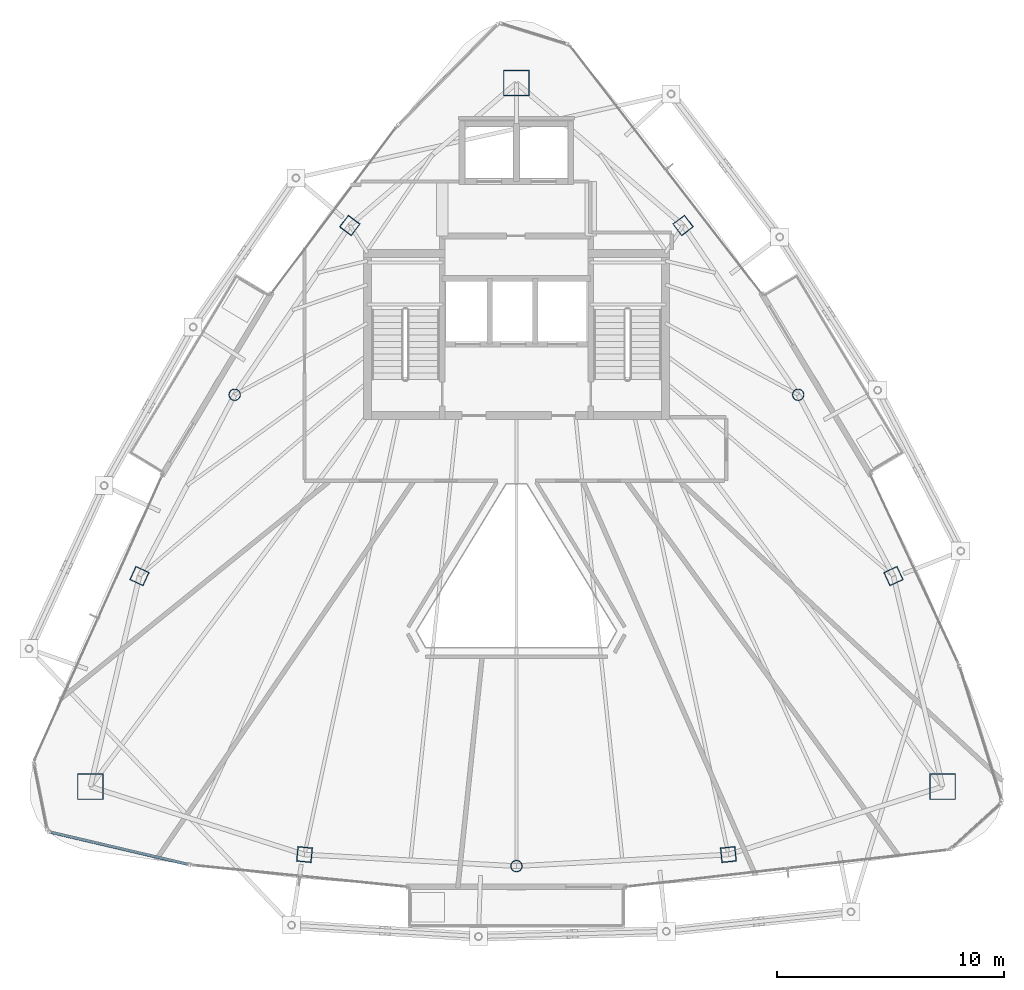
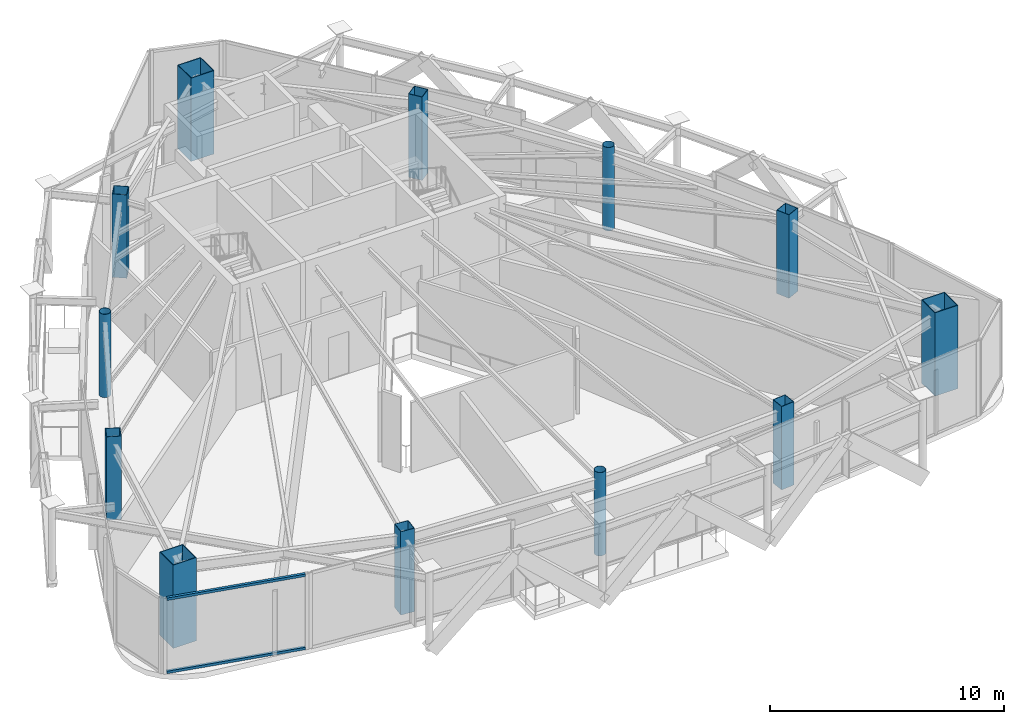
# One storey, part 1 of 22: 12 columns, 2 members, 1 element without a shape of its own.
"""IFC4 building model written with IfcOpenShell, lengths in metres."""

import ifcopenshell
import ifcopenshell.guid

model = None  # the IFC model being written
_history = None  # IfcOwnerHistory: only IFC2X3 demands one
_inside = {}  # id of a spatial element -> (the spatial element, [elements in it])
_under = {}  # id of a project, library or spatial element -> (it, [spatial elements below it])
_declared = {}  # id of a project -> (the project, [libraries it declares])
_typed = {}  # id of a type object -> (the type object, [elements of that type])
_made_of = {}  # id of a material, layer set ... -> (it, [elements and type objects made of it])


def new_model(schema):
    """Start an empty IFC model of exactly this schema.

    Asked for "IFC4X3", IfcOpenShell would pick the latest addendum, in which some entities
    have other attributes; the version numbers below select the first issue.
    IFC2X3 requires an IfcOwnerHistory on every rooted entity: one is made here for all.
    """
    global model, _history
    if schema == "IFC4X3":
        model = ifcopenshell.file(schema_version=(4, 3, 0, 0))
    else:
        model = ifcopenshell.file(schema=schema)
    _inside.clear()
    _under.clear()
    _declared.clear()
    _typed.clear()
    _made_of.clear()
    _history = None
    if model.schema == "IFC2X3":
        org = make("IfcOrganization", Name="unknown")
        user = make(
            "IfcPersonAndOrganization",
            ThePerson=make("IfcPerson", FamilyName="unknown"),
            TheOrganization=org,
        )
        app = make(
            "IfcApplication",
            ApplicationDeveloper=org,
            Version="unknown",
            ApplicationFullName="unknown",
            ApplicationIdentifier="unknown",
        )
        _history = make(
            "IfcOwnerHistory",
            OwningUser=user,
            OwningApplication=app,
            ChangeAction="ADDED",
            CreationDate=0,
        )
    return model


def make(cls, **values):
    """One entity of the class cls with the attributes given. An attribute that is None is left unset."""
    return model.create_entity(
        cls, **{name: value for name, value in values.items() if value is not None}
    )


def rooted(cls, **values):
    """An entity with a GlobalId (a new one), such as an element, a storey or a relation."""
    return make(cls, GlobalId=ifcopenshell.guid.new(), OwnerHistory=_history, **values)


def si_unit(unit_type, name, prefix=None):
    """IfcSIUnit, for example si_unit("LENGTHUNIT", "METRE", prefix="MILLI")."""
    return make("IfcSIUnit", UnitType=unit_type, Prefix=prefix, Name=name)


def assignment(units):
    """IfcUnitAssignment: the units of a project."""
    return None if units is None else make("IfcUnitAssignment", Units=units)


def point(xyz):
    """IfcCartesianPoint."""
    return None if xyz is None else make("IfcCartesianPoint", Coordinates=xyz)


def direction(xyz):
    """IfcDirection."""
    return None if xyz is None else make("IfcDirection", DirectionRatios=xyz)


def frame(location, z_axis=None, x_axis=None):
    """IfcAxis2Placement3D, a coordinate frame: its origin and axes. An axis left out is left unset."""
    return make(
        "IfcAxis2Placement3D",
        Location=point(location),
        Axis=direction(z_axis),
        RefDirection=direction(x_axis),
    )


def frame_2d(location, x_axis=None):
    """IfcAxis2Placement2D, a coordinate frame in the plane: its origin and x axis."""
    return make(
        "IfcAxis2Placement2D", Location=point(location), RefDirection=direction(x_axis)
    )


def origin():
    """The frame at (0, 0, 0) with its axes left unset."""
    return frame((0.0, 0.0, 0.0))


def origin_2d():
    """The frame at (0, 0) in the plane with its x axis left unset."""
    return frame_2d((0.0, 0.0))


def place(relative_to, where):
    """IfcLocalPlacement: puts the frame where relative to a parent placement (None: the world)."""
    return make(
        "IfcLocalPlacement", PlacementRelTo=relative_to, RelativePlacement=where
    )


def context(
    kind, dimensions, precision=None, world=None, true_north=None, identifier=None
):
    """IfcGeometricRepresentationContext, for example the 3D "Model" context."""
    return make(
        "IfcGeometricRepresentationContext",
        ContextIdentifier=identifier,
        ContextType=kind,
        CoordinateSpaceDimension=dimensions,
        Precision=precision,
        WorldCoordinateSystem=world,
        TrueNorth=true_north,
    )


def subcontext(parent, identifier, kind, view, scale=None):
    """IfcGeometricRepresentationSubContext, for example "Body" below "Model"."""
    return make(
        "IfcGeometricRepresentationSubContext",
        ContextIdentifier=identifier,
        ContextType=kind,
        ParentContext=parent,
        TargetScale=scale,
        TargetView=view,
    )


def project(units=None, contexts=None):
    """IfcProject with its units and contexts."""
    return rooted(
        "IfcProject",
        Name="project",
        RepresentationContexts=contexts,
        UnitsInContext=assignment(units),
    )


def spatial(cls, under=None, at=None, **own):
    """A site, building, storey or space (cls), placed at a placement, below another one or the project."""
    s = rooted(cls, ObjectPlacement=at, **own)
    if under is not None:
        _under.setdefault(under.id(), (under, []))[1].append(s)
    return s


def profile(cls, at=None, kind="AREA", **sizes):
    """A parametric profile (cls). Its sizes go by their IFC names, for example OverallWidth=200.0."""
    return make(cls, ProfileType=kind, Position=at, **sizes)


def hollow_rectangle(**sizes):
    """IfcRectangleHollowProfileDef."""
    return profile("IfcRectangleHollowProfileDef", **sizes)


def hollow_circle(**sizes):
    """IfcCircleHollowProfileDef."""
    return profile("IfcCircleHollowProfileDef", **sizes)


def extrude(swept, where, along, depth):
    """IfcExtrudedAreaSolid: the profile swept, set in the frame where, extruded along a direction by depth."""
    return make(
        "IfcExtrudedAreaSolid",
        SweptArea=swept,
        Position=where,
        ExtrudedDirection=direction(along),
        Depth=depth,
    )


def shape(context_of_items, identifier, shape_type, items):
    """IfcShapeRepresentation: the items that make up one representation, for example the "Body"."""
    return make(
        "IfcShapeRepresentation",
        ContextOfItems=context_of_items,
        RepresentationIdentifier=identifier,
        RepresentationType=shape_type,
        Items=items,
    )


def material(Name=None, Category=None):
    """IfcMaterial."""
    return make("IfcMaterial", Name=Name, Category=Category)


def layer(
    of_material, thickness, ventilated=None, Name=None, Category=None, Priority=None
):
    """IfcMaterialLayer: one layer of a wall or slab, of a material (None: an air gap)."""
    return make(
        "IfcMaterialLayer",
        Material=of_material,
        LayerThickness=thickness,
        IsVentilated=ventilated,
        Name=Name,
        Category=Category,
        Priority=Priority,
    )


def layer_set(layers, Name=None):
    """IfcMaterialLayerSet."""
    return make("IfcMaterialLayerSet", MaterialLayers=layers, LayerSetName=Name)


def material_profile(
    of_material, cross_section, Name=None, Category=None, Priority=None
):
    """IfcMaterialProfile: a cross section and its material."""
    return make(
        "IfcMaterialProfile",
        Name=Name,
        Material=of_material,
        Profile=cross_section,
        Priority=Priority,
        Category=Category,
    )


def profile_set(profiles, Name=None, composite=None):
    """IfcMaterialProfileSet."""
    return make(
        "IfcMaterialProfileSet",
        Name=Name,
        MaterialProfiles=profiles,
        CompositeProfile=composite,
    )


def made_of(thing, what):
    """Note that an element or type object is made of a material, layer set ...; save() writes the relation."""
    if what is not None:
        _made_of.setdefault(what.id(), (what, []))[1].append(thing)
    return thing


def type_object(cls, material=None, **own):
    """A type object (cls), such as IfcWallType, which elements share."""
    return made_of(rooted(cls, **own), material)


def element(
    cls,
    number,
    at=None,
    inside=None,
    cuts=None,
    type_object=None,
    material=None,
    context=None,
    identifier="Body",
    shape_type=None,
    held_by="IfcProductDefinitionShape",
    body=None,
    shapes=None,
    **own,
):
    """One element of the class cls, such as IfcWall. Its Tag is "e" and its number.

    at: its placement. inside: the storey or other place that contains it. cuts: it is an
    opening in that element (IfcRelVoidsElement). A single representation is given by context,
    identifier, shape_type and body (its items); several are given by shapes. held_by: the class
    of the entity that holds the representations. save() writes the other relations.
    """
    e = rooted(cls, Tag="e%d" % number, ObjectPlacement=at, **own)
    if body is not None:
        shapes = [shape(context, identifier, shape_type, body)]
    if shapes is not None:
        e.Representation = make(held_by, Representations=shapes)
    if inside is not None:
        _inside.setdefault(inside.id(), (inside, []))[1].append(e)
    if cuts is not None:
        rooted(
            "IfcRelVoidsElement", RelatingBuildingElement=cuts, RelatedOpeningElement=e
        )
    if type_object is not None:
        _typed.setdefault(type_object.id(), (type_object, []))[1].append(e)
    return made_of(e, material)


def aggregate(whole, parts):
    """IfcRelAggregates: a whole, such as a stair, and the parts it consists of."""
    return rooted("IfcRelAggregates", RelatingObject=whole, RelatedObjects=parts)


def save(model, path):
    """Write the relations noted so far, then the file.

    IfcRelAggregates (storeys below a building ...), IfcRelContainedInSpatialStructure (elements
    in a storey), IfcRelDefinesByType, IfcRelAssociatesMaterial and IfcRelDeclares: one each for
    every whole, place, type object, material and project.
    """
    for whole, parts in _under.values():
        aggregate(whole, parts)
    for where, things in _inside.values():
        rooted(
            "IfcRelContainedInSpatialStructure",
            RelatedElements=things,
            RelatingStructure=where,
        )
    for kind, things in _typed.values():
        rooted("IfcRelDefinesByType", RelatedObjects=things, RelatingType=kind)
    for what, things in _made_of.values():
        rooted("IfcRelAssociatesMaterial", RelatedObjects=things, RelatingMaterial=what)
    for by, libraries in _declared.values():
        rooted("IfcRelDeclares", RelatingContext=by, RelatedDefinitions=libraries)
    model.write(path)


model = new_model("IFC4")

# Units and contexts
model_context = context("Model", 3, precision=1e-05, world=origin(), true_north=direction((0.0, 1.0)))
body_context = subcontext(model_context, "Body", "Model", "MODEL_VIEW")
ifc_project = project(units=[si_unit("LENGTHUNIT", "METRE"), si_unit("AREAUNIT", "SQUARE_METRE"), si_unit("VOLUMEUNIT", "CUBIC_METRE"), si_unit("PLANEANGLEUNIT", "RADIAN"), si_unit("MASSUNIT", "GRAM", prefix="KILO")], contexts=[model_context])

# Site, building, storey
site_placement = place(None, origin())
site = spatial("IfcSite", under=ifc_project, at=site_placement, CompositionType="ELEMENT")
building_placement = place(site_placement, origin())
building = spatial("IfcBuilding", under=site, at=building_placement, Name="Orvanel Arch Residences", CompositionType="ELEMENT")
storey_placement = place(building_placement, frame((0.0, 0.0, 276.64990234375)))
storey = spatial("IfcBuildingStorey", under=building, at=storey_placement, Name="L79", CompositionType="ELEMENT", Elevation=276.64990234375)

# Columns
ifc_material_1 = material(Name="Structural steel AS/NZS 1163 C350L0 (Grade 350)", Category="steel")
ifc_material_profile_1 = material_profile(ifc_material_1, hollow_circle(Radius=0.25390625, WallThickness=0.01611328125, at=origin_2d()), Name="CHS508x16")
ifc_profile_set_1 = profile_set([ifc_material_profile_1], Name="Structural steel AS/NZS 1163 C350L0 (Grade 350)")
column_type_1 = type_object("IfcColumnType", Name="CC-508", PredefinedType="COLUMN", material=ifc_profile_set_1)
for number, where, z_axis, x_axis, name in (
    (1, (20.569091796875, 27.64111328125, 0.0), (0.0, 0.0, 1.0), (1.0, 0.0, 0.0), "L79 High-Rise Tube Column 02"),
    (2, (33.0, 6.843994140625, 0.0), (0.0, 0.0, 1.0), (1.0, 0.0, 0.0), "L79 High-Rise Tube Column 05"),
    (3, (45.430908203125, 27.64111328125, 0.0), (0.0, 0.0, 1.0), (1.0, 0.0, 0.0), "L79 High-Rise Tube Column 08"),
):
    element("IfcColumn", number, at=place(storey_placement, frame(where, z_axis=z_axis, x_axis=x_axis)), inside=storey, type_object=column_type_1, Name=name, PredefinedType="COLUMN", context=body_context, shape_type="SweptSolid", body=[
        extrude(hollow_circle(Radius=0.25390625, WallThickness=0.01611328125, at=origin_2d()), origin(), (0.0, 0.0, 1.0), 4.35009765625),
    ])
ifc_material_2 = material(Name="Structural steel AS/NZS 3678 Grade 450", Category="steel")
ifc_material_profile_2 = material_profile(ifc_material_2, hollow_rectangle(XDim=1.14990234375, YDim=1.14990234375, WallThickness=0.035888671875, at=origin_2d()), Name="BOX1150x1150x36")
ifc_profile_set_2 = profile_set([ifc_material_profile_2], Name="Structural steel AS/NZS 3678 Grade 450")
column_type_2 = type_object("IfcColumnType", Name="MC-1150", PredefinedType="COLUMN", material=ifc_profile_set_2)
for number, where, z_axis, x_axis, name in (
    (4, (33.0, 41.39794921875, 0.0), (0.0, 0.0, 1.0), (1.0, 0.0, 0.0), "L79 Corner Mega-Column 1"),
    (5, (14.198974609375, 10.35107421875, 0.0), (0.0, 0.0, 1.0), (1.0, 0.0, 0.0), "L79 Corner Mega-Column 2"),
    (6, (51.801025390625, 10.35107421875, 0.0), (0.0, 0.0, 1.0), (1.0, 0.0, 0.0), "L79 Corner Mega-Column 3"),
):
    element("IfcColumn", number, at=place(storey_placement, frame(where, z_axis=z_axis, x_axis=x_axis)), inside=storey, type_object=column_type_2, Name=name, PredefinedType="COLUMN", context=body_context, shape_type="SweptSolid", body=[
        extrude(hollow_rectangle(XDim=1.14990234375, YDim=1.14990234375, WallThickness=0.035888671875, at=origin_2d()), origin(), (0.0, 0.0, 1.0), 4.35009765625),
    ])
ifc_material_3 = material(Name="Structural steel AS/NZS 3678 Grade 350", Category="steel")
ifc_material_profile_3 = material_profile(ifc_material_3, hollow_rectangle(XDim=0.64990234375, YDim=0.64990234375, WallThickness=0.02197265625, at=origin_2d()), Name="BOX650x650x22")
ifc_profile_set_3 = profile_set([ifc_material_profile_3], Name="Structural steel AS/NZS 3678 Grade 350")
column_type_3 = type_object("IfcColumnType", Name="TC-650", PredefinedType="COLUMN", material=ifc_profile_set_3)
for number, where, z_axis, x_axis, name in (
    (7, (25.64794921875, 35.113037109375, 0.0), (0.0, 0.0, 1.0), (0.600420225326, 0.799684658487, 0.0), "L79 High-Rise Tube Column 01"),
    (8, (16.366943359375, 19.64208984375, 0.0), (0.0, 0.0, 1.0), (0.422618261741, 0.906307787037, 0.0), "L79 High-Rise Tube Column 03"),
    (9, (23.64892578125, 7.35498046875, 0.0), (0.0, 0.0, 1.0), (-0.994880708829, 0.101056297183, 0.0), "L79 High-Rise Tube Column 04"),
    (10, (42.35107421875, 7.35498046875, 0.0), (0.0, 0.0, 1.0), (0.994880708829, 0.101056297183, 0.0), "L79 High-Rise Tube Column 06"),
    (11, (49.633056640625, 19.64208984375, 0.0), (0.0, 0.0, 1.0), (-0.422618261741, 0.906307787037, 0.0), "L79 High-Rise Tube Column 07"),
    (12, (40.35205078125, 35.113037109375, 0.0), (0.0, 0.0, 1.0), (-0.600420225326, 0.799684658487, 0.0), "L79 High-Rise Tube Column 09"),
):
    element("IfcColumn", number, at=place(storey_placement, frame(where, z_axis=z_axis, x_axis=x_axis)), inside=storey, type_object=column_type_3, Name=name, PredefinedType="COLUMN", context=body_context, shape_type="SweptSolid", body=[
        extrude(hollow_rectangle(XDim=0.64990234375, YDim=0.64990234375, WallThickness=0.02197265625, at=origin_2d()), origin(), (0.0, 0.0, 1.0), 4.35009765625),
    ])

# Curtain wall, members
ifc_material_4 = material(Name="Bronze-anodised aluminium AA6063-T6", Category="aluminium")
ifc_layer = layer(ifc_material_4, 0.18994140625)
ifc_layer_set = layer_set([ifc_layer], Name="Bronze-anodised aluminium AA6063-T6")
curtain_wall_type = type_object("IfcCurtainWallType", Name="CW5-CRN-SYS", PredefinedType="NOTDEFINED", material=ifc_layer_set)
curtain_wall_placement = place(storey_placement, origin())
curtain_wall = element("IfcCurtainWall", 13, at=curtain_wall_placement, inside=storey, type_object=curtain_wall_type, Name="L79 CW5-CRN-SYS Unitised Curtain Wall", PredefinedType="NOTDEFINED")
ifc_material_profile_4 = material_profile(ifc_material_4, hollow_rectangle(XDim=0.1298828125, YDim=0.1298828125, WallThickness=0.00439453125, at=origin_2d()), Name="ALU130x130x4.5")
ifc_profile_set_4 = profile_set([ifc_material_profile_4], Name="Bronze-anodised aluminium AA6063-T6")
member_type = type_object("IfcMemberType", Name="TRN-130x130", PredefinedType="USERDEFINED", material=ifc_profile_set_4)
member_1_placement = place(storey_placement, frame((12.465087890625, 8.3388671875, 0.065185546875), z_axis=(0.973735814475, -0.227680837158, 0.0), x_axis=(0.227680837158, 0.973735814475, 0.0)))
member_1 = element("IfcMember", 14, at=member_1_placement, type_object=member_type, Name="CW-S5 transom 1.1", ObjectType="TRANSOM", PredefinedType="USERDEFINED", context=body_context, shape_type="SweptSolid", body=[
    extrude(hollow_rectangle(XDim=0.1298828125, YDim=0.1298828125, WallThickness=0.00439453125, at=origin_2d()), origin(), (0.0, 0.0, 1.0), 6.19140625),
])
member_2_placement = place(storey_placement, frame((12.465087890625, 8.3388671875, 3.885009765625), z_axis=(0.973735814475, -0.227680837158, 0.0), x_axis=(0.227680837158, 0.973735814475, 0.0)))
member_2 = element("IfcMember", 15, at=member_2_placement, type_object=member_type, Name="CW-S5 transom 1.2", ObjectType="TRANSOM", PredefinedType="USERDEFINED", context=body_context, shape_type="SweptSolid", body=[
    extrude(hollow_rectangle(XDim=0.1298828125, YDim=0.1298828125, WallThickness=0.00439453125, at=origin_2d()), origin(), (0.0, 0.0, 1.0), 6.19140625),
])
aggregate(curtain_wall, [member_1, member_2])

save(model, "model.ifc")
